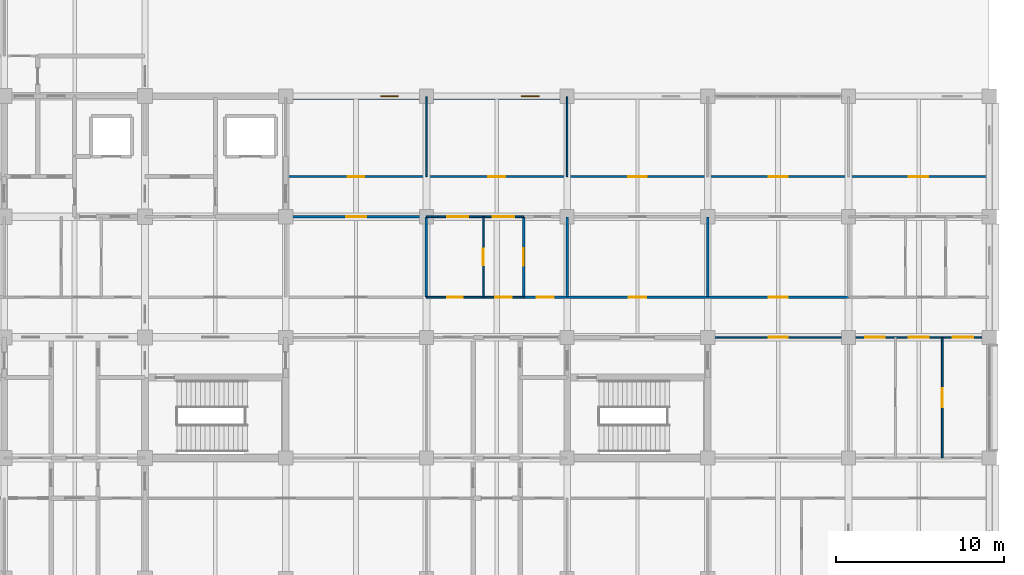
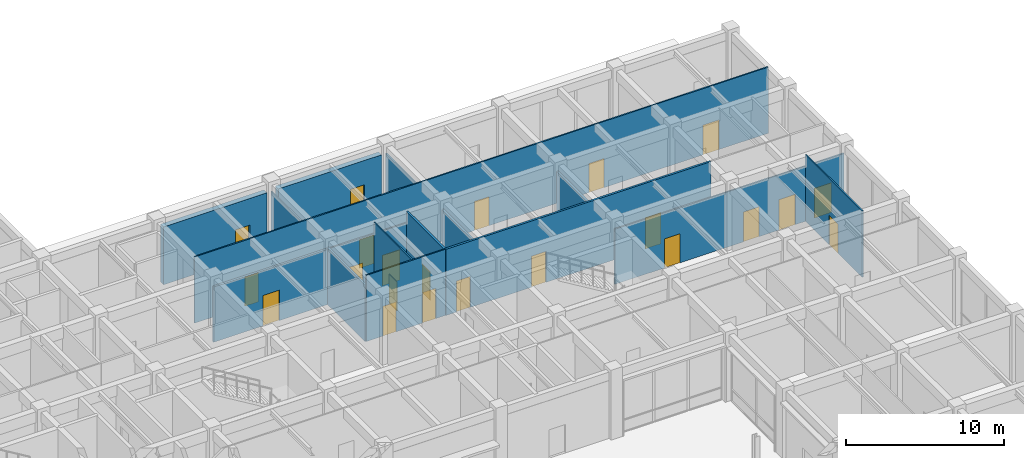
# One storey, part 58 of 73: 20 doors, 16 walls, 2 windows, 22 openings.
"""IFC4 building model written with IfcOpenShell, lengths in metres."""

from ifc_helpers import new_model, si_unit, direction, frame, frame_2d, origin, place, context, subcontext, project, spatial, rectangle, extrude, material, layer, layer_set, type_object, element, fill, save


model = new_model("IFC4")

# Units and contexts
model_context = context("Model", 3, precision=1e-05, world=origin(), true_north=direction((0.0, 1.0)))
body_context = subcontext(model_context, "Body", "Model", "MODEL_VIEW")
ifc_project = project(units=[si_unit("LENGTHUNIT", "METRE"), si_unit("AREAUNIT", "SQUARE_METRE"), si_unit("VOLUMEUNIT", "CUBIC_METRE"), si_unit("PLANEANGLEUNIT", "RADIAN"), si_unit("MASSUNIT", "GRAM", prefix="KILO")], contexts=[model_context])

# Site, building, storey
site_placement = place(None, origin())
site = spatial("IfcSite", under=ifc_project, at=site_placement, CompositionType="ELEMENT")
building_placement = place(site_placement, origin())
building = spatial("IfcBuilding", under=site, at=building_placement, Name="Chengyuan Square Courthouse", CompositionType="ELEMENT")
storey_placement = place(building_placement, origin())
storey = spatial("IfcBuildingStorey", under=building, at=storey_placement, Name="L01", CompositionType="ELEMENT", Elevation=0.0)

# Wall, opening, window
ifc_material_1 = material(Name="Concrete C40", Category="concrete")
ifc_layer_1 = layer(ifc_material_1, 0.3798828125)
ifc_layer_set_1 = layer_set([ifc_layer_1], Name="Concrete C40")
wall_type_1 = type_object("IfcWallType", Name="WL-EW1", PredefinedType="STANDARD", material=ifc_layer_set_1)
wall_1_placement = place(storey_placement, frame((126.419921875, 108.0, 0.0), z_axis=(0.0, 0.0, 1.0), x_axis=(1.0, 0.0, 0.0)))
wall_1 = element("IfcWall", 1, at=wall_1_placement, inside=storey, type_object=wall_type_1, Name="Exterior Wall WL-L01-E186", PredefinedType="STANDARD", context=body_context, shape_type="SweptSolid", body=[
    extrude(rectangle(XDim=7.56005859375, YDim=0.3798828125, at=frame_2d((3.780029296875, 0.0))), origin(), (0.0, 0.0, 1.0), 4.469970703125),
])
opening_1_placement = place(wall_1_placement, frame((5.2548828125, 0.0, 0.85009765625)))
opening_1 = element("IfcOpeningElement", 2, at=opening_1_placement, cuts=wall_1, Name="Opening WN-008", PredefinedType="OPENING", context=body_context, shape_type="SweptSolid", body=[
    extrude(rectangle(XDim=1.050048828125, YDim=1.56005859375, at=frame_2d((0.52490234375, 0.780029296875))), frame((0.0, 0.201904296875, 0.0), z_axis=(0.0, -1.0, 0.0), x_axis=(1.0, 0.0, 0.0)), (0.0, 0.0, 1.0), 0.40380859375),
])
ifc_material_2 = material(Name="Thermally Broken Aluminium Triple Low-E Window", Category="aluminium")
window_type_1 = type_object("IfcWindowType", Name="WT-09", PartitioningType="SINGLE_PANEL", PredefinedType="WINDOW", material=ifc_material_2)
window_1_placement = place(opening_1_placement, origin())
window_1 = element("IfcWindow", 3, at=window_1_placement, inside=storey, type_object=window_type_1, Name="Facade Window WN-008", OverallHeight=1.56005859375, OverallWidth=1.050048828125, PartitioningType="SINGLE_PANEL", PredefinedType="WINDOW", context=body_context, shape_type="SweptSolid", body=[
    extrude(rectangle(XDim=1.050048828125, YDim=1.56005859375, at=frame_2d((0.52490234375, 0.780029296875))), frame((0.0, 0.030029296875, 0.0), z_axis=(0.0, -1.0, 0.0), x_axis=(1.0, 0.0, 0.0)), (0.0, 0.0, 1.0), 0.06005859375),
])
fill(opening_1, window_1)

wall_2_placement = place(storey_placement, frame((134.820068359375, 108.0, 0.0), z_axis=(0.0, 0.0, 1.0), x_axis=(1.0, 0.0, 0.0)))
wall_2 = element("IfcWall", 4, at=wall_2_placement, inside=storey, type_object=wall_type_1, Name="Exterior Wall WL-L01-E188", PredefinedType="STANDARD", context=body_context, shape_type="SweptSolid", body=[
    extrude(rectangle(XDim=7.559814453125, YDim=0.3798828125, at=frame_2d((3.77978515625, 0.0))), origin(), (0.0, 0.0, 1.0), 4.469970703125),
])
opening_2_placement = place(wall_2_placement, frame((5.2548828125, 0.0, 0.85009765625)))
opening_2 = element("IfcOpeningElement", 5, at=opening_2_placement, cuts=wall_2, Name="Opening WN-009", PredefinedType="OPENING", context=body_context, shape_type="SweptSolid", body=[
    extrude(rectangle(XDim=1.050048828125, YDim=1.739990234375, at=frame_2d((0.52490234375, 0.8701171875))), frame((0.0, 0.201904296875, 0.0), z_axis=(0.0, -1.0, 0.0), x_axis=(1.0, 0.0, 0.0)), (0.0, 0.0, 1.0), 0.40380859375),
])
window_type_2 = type_object("IfcWindowType", Name="WT-10", PartitioningType="SINGLE_PANEL", PredefinedType="WINDOW", material=ifc_material_2)
window_2_placement = place(opening_2_placement, origin())
window_2 = element("IfcWindow", 6, at=window_2_placement, inside=storey, type_object=window_type_2, Name="Facade Window WN-009", OverallHeight=1.739990234375, OverallWidth=1.050048828125, PartitioningType="SINGLE_PANEL", PredefinedType="WINDOW", context=body_context, shape_type="SweptSolid", body=[
    extrude(rectangle(XDim=1.050048828125, YDim=1.739990234375, at=frame_2d((0.52490234375, 0.8701171875))), frame((0.0, 0.030029296875, 0.0), z_axis=(0.0, -1.0, 0.0), x_axis=(1.0, 0.0, 0.0)), (0.0, 0.0, 1.0), 0.06005859375),
])
fill(opening_2, window_2)

# Wall, openings, doors
ifc_material_3 = material(Name="Deliberation Room Sound-Insulated Partition")
ifc_layer_2 = layer(ifc_material_3, 0.14990234375)
ifc_layer_set_2 = layer_set([ifc_layer_2], Name="Deliberation Room Sound-Insulated Partition")
wall_type_2 = type_object("IfcWallType", Name="WL-PT3", PredefinedType="STANDARD", material=ifc_layer_set_2)
wall_3_placement = place(storey_placement, frame((140.199951171875, 96.0, 0.0), z_axis=(0.0, 0.0, 1.0), x_axis=(1.0, 0.0, 0.0)))
wall_3 = element("IfcWall", 7, at=wall_3_placement, inside=storey, type_object=wall_type_2, Name="Interior Wall WL-L01-I746", PredefinedType="STANDARD", context=body_context, shape_type="SweptSolid", body=[
    extrude(rectangle(XDim=19.400146484375, YDim=0.14990234375, at=frame_2d((9.7001953125, 0.0))), origin(), (0.0, 0.0, 1.0), 5.1201171875),
])
opening_3_placement = place(wall_3_placement, frame((0.7900390625, 0.0, 0.0)))
opening_3 = element("IfcOpeningElement", 8, at=opening_3_placement, cuts=wall_3, Name="Opening DR-829", PredefinedType="OPENING", context=body_context, shape_type="SweptSolid", body=[
    extrude(rectangle(XDim=1.02001953125, YDim=2.39990234375, at=frame_2d((0.510009765625, 1.199951171875))), frame((0.0, 0.0869140625, 0.0), z_axis=(0.0, -1.0, 0.0), x_axis=(1.0, 0.0, 0.0)), (0.0, 0.0, 1.0), 0.173828125),
])
opening_4_placement = place(wall_3_placement, frame((6.27001953125, 0.0, 0.0)))
opening_4 = element("IfcOpeningElement", 9, at=opening_4_placement, cuts=wall_3, Name="Opening DR-830", PredefinedType="OPENING", context=body_context, shape_type="SweptSolid", body=[
    extrude(rectangle(XDim=1.06005859375, YDim=2.39990234375, at=frame_2d((0.530029296875, 1.199951171875))), frame((0.0, 0.0869140625, 0.0), z_axis=(0.0, -1.0, 0.0), x_axis=(1.0, 0.0, 0.0)), (0.0, 0.0, 1.0), 0.173828125),
])
opening_5_placement = place(wall_3_placement, frame((14.6298828125, 0.0, 0.0)))
opening_5 = element("IfcOpeningElement", 10, at=opening_5_placement, cuts=wall_3, Name="Opening DR-831", PredefinedType="OPENING", context=body_context, shape_type="SweptSolid", body=[
    extrude(rectangle(XDim=1.139892578125, YDim=2.39990234375, at=frame_2d((0.56982421875, 1.199951171875))), frame((0.0, 0.0869140625, 0.0), z_axis=(0.0, -1.0, 0.0), x_axis=(1.0, 0.0, 0.0)), (0.0, 0.0, 1.0), 0.173828125),
])
ifc_material_4 = material(Name="Acoustic Solid-Core Timber Door", Category="wood")
door_type_1 = type_object("IfcDoorType", Name="DT-41", OperationType="NOTDEFINED", PredefinedType="DOOR", material=ifc_material_4)
door_1_placement = place(opening_3_placement, origin())
door_1 = element("IfcDoor", 11, at=door_1_placement, inside=storey, type_object=door_type_1, Name="Interior Door DR-829", OperationType="SINGLE_SWING_RIGHT", OverallHeight=2.39990234375, OverallWidth=1.02001953125, PredefinedType="DOOR", context=body_context, shape_type="SweptSolid", body=[
    extrude(rectangle(XDim=1.02001953125, YDim=2.39990234375, at=frame_2d((0.510009765625, 1.199951171875))), frame((0.0, 0.02490234375, 0.0), z_axis=(0.0, -1.0, 0.0), x_axis=(1.0, 0.0, 0.0)), (0.0, 0.0, 1.0), 0.050048828125),
])
fill(opening_3, door_1)
door_type_2 = type_object("IfcDoorType", Name="DT-42", OperationType="NOTDEFINED", PredefinedType="DOOR", material=ifc_material_4)
door_2_placement = place(opening_4_placement, origin())
door_2 = element("IfcDoor", 12, at=door_2_placement, inside=storey, type_object=door_type_2, Name="Interior Door DR-830", OperationType="SINGLE_SWING_LEFT", OverallHeight=2.39990234375, OverallWidth=1.06005859375, PredefinedType="DOOR", context=body_context, shape_type="SweptSolid", body=[
    extrude(rectangle(XDim=1.06005859375, YDim=2.39990234375, at=frame_2d((0.530029296875, 1.199951171875))), frame((0.0, 0.02490234375, 0.0), z_axis=(0.0, -1.0, 0.0), x_axis=(1.0, 0.0, 0.0)), (0.0, 0.0, 1.0), 0.050048828125),
])
fill(opening_4, door_2)
door_type_3 = type_object("IfcDoorType", Name="DT-43", OperationType="NOTDEFINED", PredefinedType="DOOR", material=ifc_material_4)
door_3_placement = place(opening_5_placement, origin())
door_3 = element("IfcDoor", 13, at=door_3_placement, inside=storey, type_object=door_type_3, Name="Interior Door DR-831", OperationType="SINGLE_SWING_RIGHT", OverallHeight=2.39990234375, OverallWidth=1.139892578125, PredefinedType="DOOR", context=body_context, shape_type="SweptSolid", body=[
    extrude(rectangle(XDim=1.139892578125, YDim=2.39990234375, at=frame_2d((0.56982421875, 1.199951171875))), frame((0.0, 0.02490234375, 0.0), z_axis=(0.0, -1.0, 0.0), x_axis=(1.0, 0.0, 0.0)), (0.0, 0.0, 1.0), 0.050048828125),
])
fill(opening_5, door_3)

# Wall, opening, door
wall_4_placement = place(storey_placement, frame((126.0, 100.800048828125, 0.0), z_axis=(0.0, 0.0, 1.0), x_axis=(1.0, 0.0, 0.0)))
wall_4 = element("IfcWall", 14, at=wall_4_placement, inside=storey, type_object=wall_type_2, Name="Interior Wall WL-L01-I765", PredefinedType="STANDARD", context=body_context, shape_type="SweptSolid", body=[
    extrude(rectangle(XDim=8.39990234375, YDim=0.14990234375, at=frame_2d((4.199951171875, 0.0))), origin(), (0.0, 0.0, 1.0), 4.27001953125),
])
opening_6_placement = place(wall_4_placement, frame((3.60009765625, 0.0, 0.0)))
opening_6 = element("IfcOpeningElement", 15, at=opening_6_placement, cuts=wall_4, Name="Opening DR-773", PredefinedType="OPENING", context=body_context, shape_type="SweptSolid", body=[
    extrude(rectangle(XDim=1.199951171875, YDim=2.35009765625, at=frame_2d((0.60009765625, 1.175048828125))), frame((0.0, 0.0869140625, 0.0), z_axis=(0.0, -1.0, 0.0), x_axis=(1.0, 0.0, 0.0)), (0.0, 0.0, 1.0), 0.173828125),
])
door_type_4 = type_object("IfcDoorType", Name="DT-36", OperationType="NOTDEFINED", PredefinedType="DOOR", material=ifc_material_4)
door_4_placement = place(opening_6_placement, origin())
door_4 = element("IfcDoor", 16, at=door_4_placement, inside=storey, type_object=door_type_4, Name="Interior Door DR-773", OperationType="SINGLE_SWING_LEFT", OverallHeight=2.35009765625, OverallWidth=1.199951171875, PredefinedType="DOOR", context=body_context, shape_type="SweptSolid", body=[
    extrude(rectangle(XDim=1.199951171875, YDim=2.35009765625, at=frame_2d((0.60009765625, 1.175048828125))), frame((0.0, 0.02490234375, 0.0), z_axis=(0.0, -1.0, 0.0), x_axis=(1.0, 0.0, 0.0)), (0.0, 0.0, 1.0), 0.050048828125),
])
fill(opening_6, door_4)

# Wall
wall_5_placement = place(storey_placement, frame((134.39990234375, 96.0, 0.0), z_axis=(0.0, 0.0, 1.0), x_axis=(0.0, 1.0, 0.0)))
element("IfcWall", 17, at=wall_5_placement, inside=storey, type_object=wall_type_2, Name="Interior Wall WL-L01-I977", PredefinedType="STANDARD", context=body_context, shape_type="SweptSolid", body=[
    extrude(rectangle(XDim=4.800048828125, YDim=0.14990234375, at=frame_2d((2.39990234375, 0.0))), origin(), (0.0, 0.0, 1.0), 4.3701171875),
])

# Wall, opening, door
wall_6_placement = place(storey_placement, frame((140.199951171875, 96.0, 0.0), z_axis=(0.0, 0.0, 1.0), x_axis=(0.0, 1.0, 0.0)))
wall_6 = element("IfcWall", 18, at=wall_6_placement, inside=storey, type_object=wall_type_2, Name="Interior Wall WL-L01-I982", PredefinedType="STANDARD", context=body_context, shape_type="SweptSolid", body=[
    extrude(rectangle(XDim=4.800048828125, YDim=0.14990234375, at=frame_2d((2.39990234375, 0.0))), origin(), (0.0, 0.0, 1.0), 5.1201171875),
])
opening_7_placement = place(wall_6_placement, frame((1.8798828125, 0.0, 0.0)))
opening_7 = element("IfcOpeningElement", 19, at=opening_7_placement, cuts=wall_6, Name="Opening DR-854", PredefinedType="OPENING", context=body_context, shape_type="SweptSolid", body=[
    extrude(rectangle(XDim=1.0400390625, YDim=2.199951171875, at=frame_2d((0.52001953125, 1.10009765625))), frame((0.0, 0.0869140625, 0.0), z_axis=(0.0, -1.0, 0.0), x_axis=(1.0, 0.0, 0.0)), (0.0, 0.0, 1.0), 0.173828125),
])
door_type_5 = type_object("IfcDoorType", Name="DT-32", OperationType="NOTDEFINED", PredefinedType="DOOR", material=ifc_material_4)
door_5_placement = place(opening_7_placement, origin())
door_5 = element("IfcDoor", 20, at=door_5_placement, inside=storey, type_object=door_type_5, Name="Interior Door DR-854", OperationType="SINGLE_SWING_LEFT", OverallHeight=2.199951171875, OverallWidth=1.0400390625, PredefinedType="DOOR", context=body_context, shape_type="SweptSolid", body=[
    extrude(rectangle(XDim=1.0400390625, YDim=2.199951171875, at=frame_2d((0.52001953125, 1.10009765625))), frame((0.0, 0.02490234375, 0.0), z_axis=(0.0, -1.0, 0.0), x_axis=(1.0, 0.0, 0.0)), (0.0, 0.0, 1.0), 0.050048828125),
])
fill(opening_7, door_5)

# Walls
for number, where, z_axis, x_axis, name in (
    (21, (142.800048828125, 96.0, 0.0), (0.0, 0.0, 1.0), (0.0, 1.0, 0.0), "Interior Wall WL-L01-I986"),
    (22, (151.199951171875, 96.0, 0.0), (0.0, 0.0, 1.0), (0.0, 1.0, 0.0), "Interior Wall WL-L01-I991"),
):
    element("IfcWall", number, at=place(storey_placement, frame(where, z_axis=z_axis, x_axis=x_axis)), inside=storey, type_object=wall_type_2, Name=name, PredefinedType="STANDARD", context=body_context, shape_type="SweptSolid", body=[
        extrude(rectangle(XDim=4.800048828125, YDim=0.14990234375, at=frame_2d((2.39990234375, 0.0))), origin(), (0.0, 0.0, 1.0), 4.3701171875),
    ])

# Wall, openings, doors
ifc_material_5 = material(Name="Gypsum Plasterboard Acoustic Stud Partition")
ifc_layer_3 = layer(ifc_material_5, 0.10009765625)
ifc_layer_set_3 = layer_set([ifc_layer_3], Name="Gypsum Plasterboard Acoustic Stud Partition")
wall_type_3 = type_object("IfcWallType", Name="WL-PT6", PredefinedType="STANDARD", material=ifc_layer_set_3)
wall_7_placement = place(storey_placement, frame((151.199951171875, 93.60009765625, 0.0), z_axis=(0.0, 0.0, 1.0), x_axis=(1.0, 0.0, 0.0)))
wall_7 = element("IfcWall", 23, at=wall_7_placement, inside=storey, type_object=wall_type_3, Name="Interior Wall WL-L01-I733", PredefinedType="STANDARD", context=body_context, shape_type="SweptSolid", body=[
    extrude(rectangle(XDim=16.760009765625, YDim=0.10009765625, at=frame_2d((8.3798828125, 0.0))), origin(), (0.0, 0.0, 1.0), 4.27001953125),
])
opening_8_placement = place(wall_7_placement, frame((3.639892578125, 0.0, 0.0)))
opening_8 = element("IfcOpeningElement", 24, at=opening_8_placement, cuts=wall_7, Name="Opening DR-839", PredefinedType="OPENING", context=body_context, shape_type="SweptSolid", body=[
    extrude(rectangle(XDim=1.1201171875, YDim=2.25, at=frame_2d((0.56005859375, 1.125))), frame((0.0, 0.06201171875, 0.0), z_axis=(0.0, -1.0, 0.0), x_axis=(1.0, 0.0, 0.0)), (0.0, 0.0, 1.0), 0.1240234375),
])
opening_9_placement = place(wall_7_placement, frame((9.392578125, 0.0, 0.0)))
opening_9 = element("IfcOpeningElement", 25, at=opening_9_placement, cuts=wall_7, Name="Opening DR-840", PredefinedType="OPENING", context=body_context, shape_type="SweptSolid", body=[
    extrude(rectangle(XDim=1.159912109375, YDim=2.300048828125, at=frame_2d((0.580078125, 1.14990234375))), frame((0.0, 0.06201171875, 0.0), z_axis=(0.0, -1.0, 0.0), x_axis=(1.0, 0.0, 0.0)), (0.0, 0.0, 1.0), 0.1240234375),
])
opening_10_placement = place(wall_7_placement, frame((12.0, 0.0, 0.0)))
opening_10 = element("IfcOpeningElement", 26, at=opening_10_placement, cuts=wall_7, Name="Opening DR-841", PredefinedType="OPENING", context=body_context, shape_type="SweptSolid", body=[
    extrude(rectangle(XDim=1.199951171875, YDim=2.35009765625, at=frame_2d((0.60009765625, 1.175048828125))), frame((0.0, 0.06201171875, 0.0), z_axis=(0.0, -1.0, 0.0), x_axis=(1.0, 0.0, 0.0)), (0.0, 0.0, 1.0), 0.1240234375),
])
opening_11_placement = place(wall_7_placement, frame((14.607421875, 0.0, 0.0)))
opening_11 = element("IfcOpeningElement", 27, at=opening_11_placement, cuts=wall_7, Name="Opening DR-842", PredefinedType="OPENING", context=body_context, shape_type="SweptSolid", body=[
    extrude(rectangle(XDim=1.239990234375, YDim=2.300048828125, at=frame_2d((0.6201171875, 1.14990234375))), frame((0.0, 0.06201171875, 0.0), z_axis=(0.0, -1.0, 0.0), x_axis=(1.0, 0.0, 0.0)), (0.0, 0.0, 1.0), 0.1240234375),
])
door_type_6 = type_object("IfcDoorType", Name="DT-34", OperationType="NOTDEFINED", PredefinedType="DOOR", material=ifc_material_4)
door_6_placement = place(opening_8_placement, origin())
door_6 = element("IfcDoor", 28, at=door_6_placement, inside=storey, type_object=door_type_6, Name="Interior Door DR-839", OperationType="SINGLE_SWING_RIGHT", OverallHeight=2.25, OverallWidth=1.1201171875, PredefinedType="DOOR", context=body_context, shape_type="SweptSolid", body=[
    extrude(rectangle(XDim=1.1201171875, YDim=2.25, at=frame_2d((0.56005859375, 1.125))), frame((0.0, 0.02490234375, 0.0), z_axis=(0.0, -1.0, 0.0), x_axis=(1.0, 0.0, 0.0)), (0.0, 0.0, 1.0), 0.050048828125),
])
fill(opening_8, door_6)
door_type_7 = type_object("IfcDoorType", Name="DT-35", OperationType="NOTDEFINED", PredefinedType="DOOR", material=ifc_material_4)
door_7_placement = place(opening_9_placement, origin())
door_7 = element("IfcDoor", 29, at=door_7_placement, inside=storey, type_object=door_type_7, Name="Interior Door DR-840", OperationType="SINGLE_SWING_LEFT", OverallHeight=2.300048828125, OverallWidth=1.159912109375, PredefinedType="DOOR", context=body_context, shape_type="SweptSolid", body=[
    extrude(rectangle(XDim=1.159912109375, YDim=2.300048828125, at=frame_2d((0.580078125, 1.14990234375))), frame((0.0, 0.02490234375, 0.0), z_axis=(0.0, -1.0, 0.0), x_axis=(1.0, 0.0, 0.0)), (0.0, 0.0, 1.0), 0.050048828125),
])
fill(opening_9, door_7)
door_8_placement = place(opening_10_placement, origin())
door_8 = element("IfcDoor", 30, at=door_8_placement, inside=storey, type_object=door_type_4, Name="Interior Door DR-841", OperationType="SINGLE_SWING_RIGHT", OverallHeight=2.35009765625, OverallWidth=1.199951171875, PredefinedType="DOOR", context=body_context, shape_type="SweptSolid", body=[
    extrude(rectangle(XDim=1.199951171875, YDim=2.35009765625, at=frame_2d((0.60009765625, 1.175048828125))), frame((0.0, 0.02490234375, 0.0), z_axis=(0.0, -1.0, 0.0), x_axis=(1.0, 0.0, 0.0)), (0.0, 0.0, 1.0), 0.050048828125),
])
fill(opening_10, door_8)
door_type_8 = type_object("IfcDoorType", Name="DT-37", OperationType="NOTDEFINED", PredefinedType="DOOR", material=ifc_material_4)
door_9_placement = place(opening_11_placement, origin())
door_9 = element("IfcDoor", 31, at=door_9_placement, inside=storey, type_object=door_type_8, Name="Interior Door DR-842", OperationType="SINGLE_SWING_LEFT", OverallHeight=2.300048828125, OverallWidth=1.239990234375, PredefinedType="DOOR", context=body_context, shape_type="SweptSolid", body=[
    extrude(rectangle(XDim=1.239990234375, YDim=2.300048828125, at=frame_2d((0.6201171875, 1.14990234375))), frame((0.0, 0.02490234375, 0.0), z_axis=(0.0, -1.0, 0.0), x_axis=(1.0, 0.0, 0.0)), (0.0, 0.0, 1.0), 0.050048828125),
])
fill(opening_11, door_9)

wall_8_placement = place(storey_placement, frame((134.39990234375, 96.0, 0.0), z_axis=(0.0, 0.0, 1.0), x_axis=(1.0, 0.0, 0.0)))
wall_8 = element("IfcWall", 32, at=wall_8_placement, inside=storey, type_object=wall_type_3, Name="Interior Wall WL-L01-I745", PredefinedType="STANDARD", context=body_context, shape_type="SweptSolid", body=[
    extrude(rectangle(XDim=5.800048828125, YDim=0.10009765625, at=frame_2d((2.89990234375, 0.0))), origin(), (0.0, 0.0, 1.0), 5.1201171875),
])
opening_12_placement = place(wall_8_placement, frame((1.22998046875, 0.0, 0.0)))
opening_12 = element("IfcOpeningElement", 33, at=opening_12_placement, cuts=wall_8, Name="Opening DR-827", PredefinedType="OPENING", context=body_context, shape_type="SweptSolid", body=[
    extrude(rectangle(XDim=0.93994140625, YDim=2.300048828125, at=frame_2d((0.469970703125, 1.14990234375))), frame((0.0, 0.06201171875, 0.0), z_axis=(0.0, -1.0, 0.0), x_axis=(1.0, 0.0, 0.0)), (0.0, 0.0, 1.0), 0.1240234375),
])
opening_13_placement = place(wall_8_placement, frame((4.110107421875, 0.0, 0.0)))
opening_13 = element("IfcOpeningElement", 34, at=opening_13_placement, cuts=wall_8, Name="Opening DR-828", PredefinedType="OPENING", context=body_context, shape_type="SweptSolid", body=[
    extrude(rectangle(XDim=0.97998046875, YDim=2.35009765625, at=frame_2d((0.489990234375, 1.175048828125))), frame((0.0, 0.06201171875, 0.0), z_axis=(0.0, -1.0, 0.0), x_axis=(1.0, 0.0, 0.0)), (0.0, 0.0, 1.0), 0.1240234375),
])
door_type_9 = type_object("IfcDoorType", Name="DT-39", OperationType="NOTDEFINED", PredefinedType="DOOR", material=ifc_material_4)
door_10_placement = place(opening_12_placement, origin())
door_10 = element("IfcDoor", 35, at=door_10_placement, inside=storey, type_object=door_type_9, Name="Interior Door DR-827", OperationType="SINGLE_SWING_RIGHT", OverallHeight=2.300048828125, OverallWidth=0.93994140625, PredefinedType="DOOR", context=body_context, shape_type="SweptSolid", body=[
    extrude(rectangle(XDim=0.93994140625, YDim=2.300048828125, at=frame_2d((0.469970703125, 1.14990234375))), frame((0.0, 0.02490234375, 0.0), z_axis=(0.0, -1.0, 0.0), x_axis=(1.0, 0.0, 0.0)), (0.0, 0.0, 1.0), 0.050048828125),
])
fill(opening_12, door_10)
door_type_10 = type_object("IfcDoorType", Name="DT-40", OperationType="NOTDEFINED", PredefinedType="DOOR", material=ifc_material_4)
door_11_placement = place(opening_13_placement, origin())
door_11 = element("IfcDoor", 36, at=door_11_placement, inside=storey, type_object=door_type_10, Name="Interior Door DR-828", OperationType="SINGLE_SWING_LEFT", OverallHeight=2.35009765625, OverallWidth=0.97998046875, PredefinedType="DOOR", context=body_context, shape_type="SweptSolid", body=[
    extrude(rectangle(XDim=0.97998046875, YDim=2.35009765625, at=frame_2d((0.489990234375, 1.175048828125))), frame((0.0, 0.02490234375, 0.0), z_axis=(0.0, -1.0, 0.0), x_axis=(1.0, 0.0, 0.0)), (0.0, 0.0, 1.0), 0.050048828125),
])
fill(opening_13, door_11)

wall_9_placement = place(storey_placement, frame((134.39990234375, 100.800048828125, 0.0), z_axis=(0.0, 0.0, 1.0), x_axis=(1.0, 0.0, 0.0)))
wall_9 = element("IfcWall", 37, at=wall_9_placement, inside=storey, type_object=wall_type_3, Name="Interior Wall WL-L01-I766", PredefinedType="STANDARD", context=body_context, shape_type="SweptSolid", body=[
    extrude(rectangle(XDim=5.800048828125, YDim=0.10009765625, at=frame_2d((2.89990234375, 0.0))), origin(), (0.0, 0.0, 1.0), 4.27001953125),
])
opening_14_placement = place(wall_9_placement, frame((1.25244140625, 0.0, 0.0)))
opening_14 = element("IfcOpeningElement", 38, at=opening_14_placement, cuts=wall_9, Name="Opening DR-774", PredefinedType="OPENING", context=body_context, shape_type="SweptSolid", body=[
    extrude(rectangle(XDim=1.239990234375, YDim=2.300048828125, at=frame_2d((0.6201171875, 1.14990234375))), frame((0.0, 0.06201171875, 0.0), z_axis=(0.0, -1.0, 0.0), x_axis=(1.0, 0.0, 0.0)), (0.0, 0.0, 1.0), 0.1240234375),
])
opening_15_placement = place(wall_9_placement, frame((3.9599609375, 0.0, 0.0)))
opening_15 = element("IfcOpeningElement", 39, at=opening_15_placement, cuts=wall_9, Name="Opening DR-775", PredefinedType="OPENING", context=body_context, shape_type="SweptSolid", body=[
    extrude(rectangle(XDim=1.280029296875, YDim=2.35009765625, at=frame_2d((0.64013671875, 1.175048828125))), frame((0.0, 0.06201171875, 0.0), z_axis=(0.0, -1.0, 0.0), x_axis=(1.0, 0.0, 0.0)), (0.0, 0.0, 1.0), 0.1240234375),
])
door_12_placement = place(opening_14_placement, origin())
door_12 = element("IfcDoor", 40, at=door_12_placement, inside=storey, type_object=door_type_8, Name="Interior Door DR-774", OperationType="SINGLE_SWING_RIGHT", OverallHeight=2.300048828125, OverallWidth=1.239990234375, PredefinedType="DOOR", context=body_context, shape_type="SweptSolid", body=[
    extrude(rectangle(XDim=1.239990234375, YDim=2.300048828125, at=frame_2d((0.6201171875, 1.14990234375))), frame((0.0, 0.02490234375, 0.0), z_axis=(0.0, -1.0, 0.0), x_axis=(1.0, 0.0, 0.0)), (0.0, 0.0, 1.0), 0.050048828125),
])
fill(opening_14, door_12)
door_type_11 = type_object("IfcDoorType", Name="DT-38", OperationType="NOTDEFINED", PredefinedType="DOOR", material=ifc_material_4)
door_13_placement = place(opening_15_placement, origin())
door_13 = element("IfcDoor", 41, at=door_13_placement, inside=storey, type_object=door_type_11, Name="Interior Door DR-775", OperationType="SINGLE_SWING_LEFT", OverallHeight=2.35009765625, OverallWidth=1.280029296875, PredefinedType="DOOR", context=body_context, shape_type="SweptSolid", body=[
    extrude(rectangle(XDim=1.280029296875, YDim=2.35009765625, at=frame_2d((0.64013671875, 1.175048828125))), frame((0.0, 0.02490234375, 0.0), z_axis=(0.0, -1.0, 0.0), x_axis=(1.0, 0.0, 0.0)), (0.0, 0.0, 1.0), 0.050048828125),
])
fill(opening_15, door_13)

wall_10_placement = place(storey_placement, frame((126.0, 103.199951171875, 0.0), z_axis=(0.0, 0.0, 1.0), x_axis=(1.0, 0.0, 0.0)))
wall_10 = element("IfcWall", 42, at=wall_10_placement, inside=storey, type_object=wall_type_3, Name="Interior Wall WL-L01-I780", PredefinedType="STANDARD", context=body_context, shape_type="SweptSolid", body=[
    extrude(rectangle(XDim=41.9599609375, YDim=0.10009765625, at=frame_2d((20.97998046875, 0.0))), origin(), (0.0, 0.0, 1.0), 5.1201171875),
])
opening_16_placement = place(wall_10_placement, frame((3.699951171875, 0.0, 0.0)))
opening_16 = element("IfcOpeningElement", 43, at=opening_16_placement, cuts=wall_10, Name="Opening DR-768", PredefinedType="OPENING", context=body_context, shape_type="SweptSolid", body=[
    extrude(rectangle(XDim=1.0, YDim=2.25, at=frame_2d((0.5, 1.125))), frame((0.0, 0.06201171875, 0.0), z_axis=(0.0, -1.0, 0.0), x_axis=(1.0, 0.0, 0.0)), (0.0, 0.0, 1.0), 0.1240234375),
])
opening_17_placement = place(wall_10_placement, frame((12.080078125, 0.0, 0.0)))
opening_17 = element("IfcOpeningElement", 44, at=opening_17_placement, cuts=wall_10, Name="Opening DR-769", PredefinedType="OPENING", context=body_context, shape_type="SweptSolid", body=[
    extrude(rectangle(XDim=1.0400390625, YDim=2.199951171875, at=frame_2d((0.52001953125, 1.10009765625))), frame((0.0, 0.06201171875, 0.0), z_axis=(0.0, -1.0, 0.0), x_axis=(1.0, 0.0, 0.0)), (0.0, 0.0, 1.0), 0.1240234375),
])
opening_18_placement = place(wall_10_placement, frame((20.4599609375, 0.0, 0.0)))
opening_18 = element("IfcOpeningElement", 45, at=opening_18_placement, cuts=wall_10, Name="Opening DR-770", PredefinedType="OPENING", context=body_context, shape_type="SweptSolid", body=[
    extrude(rectangle(XDim=1.080078125, YDim=2.25, at=frame_2d((0.5400390625, 1.125))), frame((0.0, 0.06201171875, 0.0), z_axis=(0.0, -1.0, 0.0), x_axis=(1.0, 0.0, 0.0)), (0.0, 0.0, 1.0), 0.1240234375),
])
opening_19_placement = place(wall_10_placement, frame((28.840087890625, 0.0, 0.0)))
opening_19 = element("IfcOpeningElement", 46, at=opening_19_placement, cuts=wall_10, Name="Opening DR-771", PredefinedType="OPENING", context=body_context, shape_type="SweptSolid", body=[
    extrude(rectangle(XDim=1.1201171875, YDim=2.25, at=frame_2d((0.56005859375, 1.125))), frame((0.0, 0.06201171875, 0.0), z_axis=(0.0, -1.0, 0.0), x_axis=(1.0, 0.0, 0.0)), (0.0, 0.0, 1.0), 0.1240234375),
])
opening_20_placement = place(wall_10_placement, frame((37.199951171875, 0.0, 0.0)))
opening_20 = element("IfcOpeningElement", 47, at=opening_20_placement, cuts=wall_10, Name="Opening DR-772", PredefinedType="OPENING", context=body_context, shape_type="SweptSolid", body=[
    extrude(rectangle(XDim=1.159912109375, YDim=2.300048828125, at=frame_2d((0.580078125, 1.14990234375))), frame((0.0, 0.06201171875, 0.0), z_axis=(0.0, -1.0, 0.0), x_axis=(1.0, 0.0, 0.0)), (0.0, 0.0, 1.0), 0.1240234375),
])
door_type_12 = type_object("IfcDoorType", Name="DT-31", OperationType="NOTDEFINED", PredefinedType="DOOR", material=ifc_material_4)
door_14_placement = place(opening_16_placement, origin())
door_14 = element("IfcDoor", 48, at=door_14_placement, inside=storey, type_object=door_type_12, Name="Interior Door DR-768", OperationType="SINGLE_SWING_RIGHT", OverallHeight=2.25, OverallWidth=1.0, PredefinedType="DOOR", context=body_context, shape_type="SweptSolid", body=[
    extrude(rectangle(XDim=1.0, YDim=2.25, at=frame_2d((0.5, 1.125))), frame((0.0, 0.02490234375, 0.0), z_axis=(0.0, -1.0, 0.0), x_axis=(1.0, 0.0, 0.0)), (0.0, 0.0, 1.0), 0.050048828125),
])
fill(opening_16, door_14)
door_15_placement = place(opening_17_placement, origin())
door_15 = element("IfcDoor", 49, at=door_15_placement, inside=storey, type_object=door_type_5, Name="Interior Door DR-769", OperationType="SINGLE_SWING_LEFT", OverallHeight=2.199951171875, OverallWidth=1.0400390625, PredefinedType="DOOR", context=body_context, shape_type="SweptSolid", body=[
    extrude(rectangle(XDim=1.0400390625, YDim=2.199951171875, at=frame_2d((0.52001953125, 1.10009765625))), frame((0.0, 0.02490234375, 0.0), z_axis=(0.0, -1.0, 0.0), x_axis=(1.0, 0.0, 0.0)), (0.0, 0.0, 1.0), 0.050048828125),
])
fill(opening_17, door_15)
door_type_13 = type_object("IfcDoorType", Name="DT-33", OperationType="NOTDEFINED", PredefinedType="DOOR", material=ifc_material_4)
door_16_placement = place(opening_18_placement, origin())
door_16 = element("IfcDoor", 50, at=door_16_placement, inside=storey, type_object=door_type_13, Name="Interior Door DR-770", OperationType="SINGLE_SWING_RIGHT", OverallHeight=2.25, OverallWidth=1.080078125, PredefinedType="DOOR", context=body_context, shape_type="SweptSolid", body=[
    extrude(rectangle(XDim=1.080078125, YDim=2.25, at=frame_2d((0.5400390625, 1.125))), frame((0.0, 0.02490234375, 0.0), z_axis=(0.0, -1.0, 0.0), x_axis=(1.0, 0.0, 0.0)), (0.0, 0.0, 1.0), 0.050048828125),
])
fill(opening_18, door_16)
door_17_placement = place(opening_19_placement, origin())
door_17 = element("IfcDoor", 51, at=door_17_placement, inside=storey, type_object=door_type_6, Name="Interior Door DR-771", OperationType="SINGLE_SWING_LEFT", OverallHeight=2.25, OverallWidth=1.1201171875, PredefinedType="DOOR", context=body_context, shape_type="SweptSolid", body=[
    extrude(rectangle(XDim=1.1201171875, YDim=2.25, at=frame_2d((0.56005859375, 1.125))), frame((0.0, 0.02490234375, 0.0), z_axis=(0.0, -1.0, 0.0), x_axis=(1.0, 0.0, 0.0)), (0.0, 0.0, 1.0), 0.050048828125),
])
fill(opening_19, door_17)
door_18_placement = place(opening_20_placement, origin())
door_18 = element("IfcDoor", 52, at=door_18_placement, inside=storey, type_object=door_type_7, Name="Interior Door DR-772", OperationType="SINGLE_SWING_RIGHT", OverallHeight=2.300048828125, OverallWidth=1.159912109375, PredefinedType="DOOR", context=body_context, shape_type="SweptSolid", body=[
    extrude(rectangle(XDim=1.159912109375, YDim=2.300048828125, at=frame_2d((0.580078125, 1.14990234375))), frame((0.0, 0.02490234375, 0.0), z_axis=(0.0, -1.0, 0.0), x_axis=(1.0, 0.0, 0.0)), (0.0, 0.0, 1.0), 0.050048828125),
])
fill(opening_20, door_18)

# Wall
wall_11_placement = place(storey_placement, frame((134.39990234375, 103.199951171875, 0.0), z_axis=(0.0, 0.0, 1.0), x_axis=(0.0, 1.0, 0.0)))
element("IfcWall", 53, at=wall_11_placement, inside=storey, type_object=wall_type_3, Name="Interior Wall WL-L01-I978", PredefinedType="STANDARD", context=body_context, shape_type="SweptSolid", body=[
    extrude(rectangle(XDim=4.760009765625, YDim=0.10009765625, at=frame_2d((2.3798828125, 0.0))), origin(), (0.0, 0.0, 1.0), 4.3701171875),
])

# Wall, opening, door
wall_12_placement = place(storey_placement, frame((137.800048828125, 96.0, 0.0), z_axis=(0.0, 0.0, 1.0), x_axis=(0.0, 1.0, 0.0)))
wall_12 = element("IfcWall", 54, at=wall_12_placement, inside=storey, type_object=wall_type_3, Name="Interior Wall WL-L01-I980", PredefinedType="STANDARD", context=body_context, shape_type="SweptSolid", body=[
    extrude(rectangle(XDim=4.800048828125, YDim=0.10009765625, at=frame_2d((2.39990234375, 0.0))), origin(), (0.0, 0.0, 1.0), 5.1201171875),
])
opening_21_placement = place(wall_12_placement, frame((1.89990234375, 0.0, 0.0)))
opening_21 = element("IfcOpeningElement", 55, at=opening_21_placement, cuts=wall_12, Name="Opening DR-853", PredefinedType="OPENING", context=body_context, shape_type="SweptSolid", body=[
    extrude(rectangle(XDim=1.0, YDim=2.25, at=frame_2d((0.5, 1.125))), frame((0.0, 0.06201171875, 0.0), z_axis=(0.0, -1.0, 0.0), x_axis=(1.0, 0.0, 0.0)), (0.0, 0.0, 1.0), 0.1240234375),
])
door_19_placement = place(opening_21_placement, origin())
door_19 = element("IfcDoor", 56, at=door_19_placement, inside=storey, type_object=door_type_12, Name="Interior Door DR-853", OperationType="SINGLE_SWING_RIGHT", OverallHeight=2.25, OverallWidth=1.0, PredefinedType="DOOR", context=body_context, shape_type="SweptSolid", body=[
    extrude(rectangle(XDim=1.0, YDim=2.25, at=frame_2d((0.5, 1.125))), frame((0.0, 0.02490234375, 0.0), z_axis=(0.0, -1.0, 0.0), x_axis=(1.0, 0.0, 0.0)), (0.0, 0.0, 1.0), 0.050048828125),
])
fill(opening_21, door_19)

# Wall
wall_13_placement = place(storey_placement, frame((142.800048828125, 103.199951171875, 0.0), z_axis=(0.0, 0.0, 1.0), x_axis=(0.0, 1.0, 0.0)))
element("IfcWall", 57, at=wall_13_placement, inside=storey, type_object=wall_type_3, Name="Interior Wall WL-L01-I987", PredefinedType="STANDARD", context=body_context, shape_type="SweptSolid", body=[
    extrude(rectangle(XDim=4.760009765625, YDim=0.10009765625, at=frame_2d((2.3798828125, 0.0))), origin(), (0.0, 0.0, 1.0), 4.3701171875),
])

# Wall, opening, door
wall_14_placement = place(storey_placement, frame((165.199951171875, 86.39990234375, 0.0), z_axis=(0.0, 0.0, 1.0), x_axis=(0.0, 1.0, 0.0)))
wall_14 = element("IfcWall", 58, at=wall_14_placement, inside=storey, type_object=wall_type_3, Name="Interior Wall WL-L01-I1010", PredefinedType="STANDARD", context=body_context, shape_type="SweptSolid", body=[
    extrude(rectangle(XDim=7.2001953125, YDim=0.10009765625, at=frame_2d((3.60009765625, 0.0))), origin(), (0.0, 0.0, 1.0), 5.1201171875),
])
opening_22_placement = place(wall_14_placement, frame((3.0400390625, 0.0, 0.0)))
opening_22 = element("IfcOpeningElement", 59, at=opening_22_placement, cuts=wall_14, Name="Opening DR-890", PredefinedType="OPENING", context=body_context, shape_type="SweptSolid", body=[
    extrude(rectangle(XDim=1.1201171875, YDim=2.25, at=frame_2d((0.56005859375, 1.125))), frame((0.0, 0.06201171875, 0.0), z_axis=(0.0, -1.0, 0.0), x_axis=(1.0, 0.0, 0.0)), (0.0, 0.0, 1.0), 0.1240234375),
])
door_20_placement = place(opening_22_placement, origin())
door_20 = element("IfcDoor", 60, at=door_20_placement, inside=storey, type_object=door_type_6, Name="Interior Door DR-890", OperationType="SINGLE_SWING_RIGHT", OverallHeight=2.25, OverallWidth=1.1201171875, PredefinedType="DOOR", context=body_context, shape_type="SweptSolid", body=[
    extrude(rectangle(XDim=1.1201171875, YDim=2.25, at=frame_2d((0.56005859375, 1.125))), frame((0.0, 0.02490234375, 0.0), z_axis=(0.0, -1.0, 0.0), x_axis=(1.0, 0.0, 0.0)), (0.0, 0.0, 1.0), 0.050048828125),
])
fill(opening_22, door_20)

save(model, "model.ifc")
